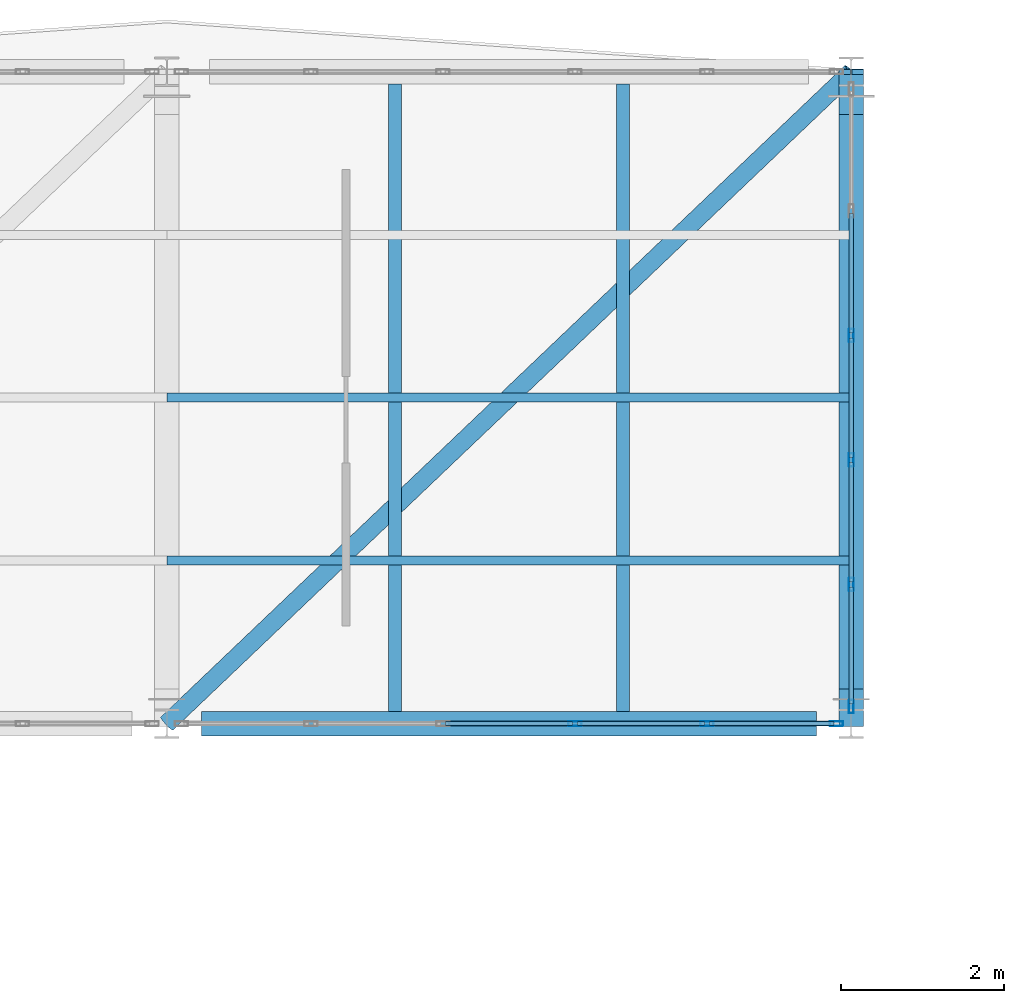
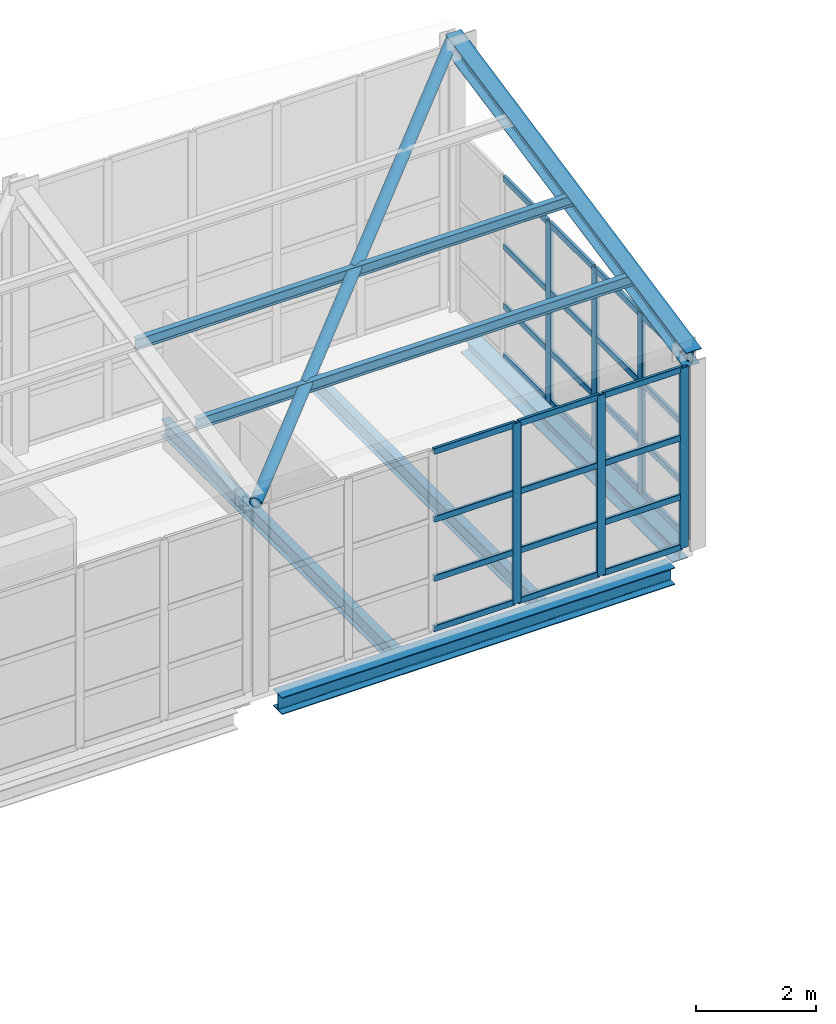
# One storey, part 116 of 177: 39 members, 4 beams, 2 elements without a shape of their own.
"""IFC4 building model written with IfcOpenShell, lengths in metres."""

from ifc_helpers import new_model, si_unit, direction, frame, origin, origin_2d, place, context, subcontext, project, spatial, hollow_rectangle, hollow_circle, i_section, extrude, material, layer, layer_set, material_profile, profile_set, type_object, element, aggregate, save


model = new_model("IFC4")

# Units and contexts
model_context = context("Model", 3, precision=1e-05, world=origin(), true_north=direction((0.0, 1.0)))
body_context = subcontext(model_context, "Body", "Model", "MODEL_VIEW")
ifc_project = project(units=[si_unit("LENGTHUNIT", "METRE"), si_unit("AREAUNIT", "SQUARE_METRE"), si_unit("VOLUMEUNIT", "CUBIC_METRE"), si_unit("PLANEANGLEUNIT", "RADIAN"), si_unit("MASSUNIT", "GRAM", prefix="KILO"), si_unit("THERMODYNAMICTEMPERATUREUNIT", "KELVIN"), si_unit("POWERUNIT", "WATT")], contexts=[model_context])

# Site, building, storey
site_placement = place(None, origin())
site = spatial("IfcSite", under=ifc_project, at=site_placement, CompositionType="ELEMENT")
building_placement = place(site_placement, origin())
building = spatial("IfcBuilding", under=site, at=building_placement, Name="Mavoryth Pier Ferry Terminal", CompositionType="ELEMENT")
storey_placement = place(building_placement, frame((0.0, 0.0, 5.43994140625)))
storey = spatial("IfcBuildingStorey", under=building, at=storey_placement, Name="L01", CompositionType="ELEMENT", Elevation=5.43994140625)

# Member
ifc_material_1 = material(Name="Steel S355J2", Category="steel")
ifc_material_profile_1 = material_profile(ifc_material_1, hollow_circle(Radius=0.109619140625, WallThickness=0.010009765625, at=origin_2d()), Name="CHS 219.1x10.0", Category="steel")
ifc_profile_set_1 = profile_set([ifc_material_profile_1], Name="Steel S355J2 - CHS 219.1x10.0")
member_type_1 = type_object("IfcMemberType", Name="Brace-Diag-CHS219", PredefinedType="BRACE", material=ifc_profile_set_1)
member_1_placement = place(storey_placement, frame((142.800048828125, 106.0, 3.771240234375), z_axis=(0.717108654399, 0.682968563255, 0.138957257423), x_axis=(-0.689659376744, 0.724133926887, 0.0)))
element("IfcMember", 1, at=member_1_placement, inside=storey, type_object=member_type_1, Name="Steel Member MB-L01-0297", PredefinedType="BRACE", context=body_context, shape_type="SweptSolid", body=[
    extrude(hollow_circle(Radius=0.109619140625, WallThickness=0.010009765625, at=origin_2d()), origin(), (0.0, 0.0, 1.0), 11.713623046875),
])

# Beams
ifc_material_profile_2 = material_profile(ifc_material_1, i_section(OverallWidth=0.159912109375, OverallDepth=0.330078125, WebThickness=0.007568359375, FlangeThickness=0.011474609375, FilletRadius=0.01806640625, at=origin_2d()), Name="IPE 330", Category="steel")
ifc_profile_set_2 = profile_set([ifc_material_profile_2], Name="Steel S355J2 - IPE 330")
beam_type_1 = type_object("IfcBeamType", Name="Joist-Steel-IPE330", PredefinedType="JOIST", material=ifc_profile_set_2)
for number, where, z_axis, x_axis, name in (
    (2, (145.60009765625, 106.14990234375, -0.405029296875), (0.0, 1.0, 0.0), (-1.0, 0.0, 0.0), "Beam B01-SJ03-0309"),
    (3, (148.39990234375, 106.14990234375, -0.405029296875), (0.0, 1.0, 0.0), (-1.0, 0.0, 0.0), "Beam B01-SJ03-0310"),
):
    element("IfcBeam", number, at=place(storey_placement, frame(where, z_axis=z_axis, x_axis=x_axis)), inside=storey, type_object=beam_type_1, Name=name, PredefinedType="JOIST", context=body_context, shape_type="SweptSolid", body=[
        extrude(i_section(OverallWidth=0.159912109375, OverallDepth=0.330078125, WebThickness=0.007568359375, FlangeThickness=0.011474609375, FilletRadius=0.01806640625, at=origin_2d()), origin(), (0.0, 0.0, 1.0), 7.7001953125),
    ])

# Curtain wall, members
ifc_material_2 = material(Name="Anodised Aluminium and Solar-Control Low-E Glass", Category="aluminium")
ifc_layer = layer(ifc_material_2, 0.139892578125, Name="Anodised Aluminium and Solar-Control Low-E Glass", Category="aluminium")
ifc_layer_set = layer_set([ifc_layer], Name="Anodised Aluminium and Solar-Control Low-E Glass - CW-Gallery-Mod1600")
curtain_wall_type = type_object("IfcCurtainWallType", Name="CW-Gallery-Mod1600", PredefinedType="USERDEFINED", material=ifc_layer_set)
curtain_wall_1_placement = place(storey_placement, origin())
curtain_wall_1 = element("IfcCurtainWall", 4, at=curtain_wall_1_placement, inside=storey, type_object=curtain_wall_type, Name="Curtain Wall CW-0122-095", ObjectType="UNITISED CURTAIN WALL", PredefinedType="USERDEFINED")
ifc_material_3 = material(Name="Anodised Aluminium EN AW-6063", Category="aluminium")
ifc_material_profile_3 = material_profile(ifc_material_3, hollow_rectangle(XDim=0.06005859375, YDim=0.1650390625, WallThickness=0.00390625, InnerFilletRadius=0.00390625, OuterFilletRadius=0.008056640625, at=origin_2d()), Name="AL-MULL 165x60x4", Category="aluminium")
ifc_profile_set_3 = profile_set([ifc_material_profile_3], Name="Anodised Aluminium EN AW-6063 - AL-MULL 165x60x4")
member_type_2 = type_object("IfcMemberType", Name="Mullion-Alum-165x60", PredefinedType="MULLION", material=ifc_profile_set_3)
member_2_placement = place(storey_placement, frame((147.81005859375, 106.0, 0.0), z_axis=(0.0, 0.0, 1.0), x_axis=(0.0, 1.0, 0.0)))
member_2 = element("IfcMember", 5, at=member_2_placement, type_object=member_type_2, Name="CW05 mullion 4", PredefinedType="MULLION", context=body_context, shape_type="SweptSolid", body=[
    extrude(hollow_rectangle(XDim=0.06005859375, YDim=0.1650390625, WallThickness=0.00390625, InnerFilletRadius=0.00390625, OuterFilletRadius=0.008056640625, at=origin_2d()), origin(), (0.0, 0.0, 1.0), 3.66015625),
])
member_3_placement = place(storey_placement, frame((149.429931640625, 106.0, 0.0), z_axis=(0.0, 0.0, 1.0), x_axis=(0.0, 1.0, 0.0)))
member_3 = element("IfcMember", 6, at=member_3_placement, type_object=member_type_2, Name="CW05 mullion 5", PredefinedType="MULLION", context=body_context, shape_type="SweptSolid", body=[
    extrude(hollow_rectangle(XDim=0.06005859375, YDim=0.1650390625, WallThickness=0.00390625, InnerFilletRadius=0.00390625, OuterFilletRadius=0.008056640625, at=origin_2d()), origin(), (0.0, 0.0, 1.0), 3.66015625),
])
member_4_placement = place(storey_placement, frame((151.02001953125, 106.0, 0.0), z_axis=(0.0, 0.0, 1.0), x_axis=(0.0, 1.0, 0.0)))
member_4 = element("IfcMember", 7, at=member_4_placement, type_object=member_type_2, Name="CW05 mullion 6", PredefinedType="MULLION", context=body_context, shape_type="SweptSolid", body=[
    extrude(hollow_rectangle(XDim=0.06005859375, YDim=0.1650390625, WallThickness=0.00390625, InnerFilletRadius=0.00390625, OuterFilletRadius=0.008056640625, at=origin_2d()), origin(), (0.0, 0.0, 1.0), 3.66015625),
])

curtain_wall_2_placement = place(storey_placement, origin())
curtain_wall_2 = element("IfcCurtainWall", 8, at=curtain_wall_2_placement, inside=storey, type_object=curtain_wall_type, Name="Curtain Wall CW-0122-097", ObjectType="UNITISED CURTAIN WALL", PredefinedType="USERDEFINED")
member_5_placement = place(storey_placement, frame((151.199951171875, 106.2099609375, 0.0), z_axis=(0.0, 0.0, 1.0), x_axis=(-1.0, 0.0, 0.0)))
member_5 = element("IfcMember", 9, at=member_5_placement, type_object=member_type_2, Name="CW05 mullion 1", PredefinedType="MULLION", context=body_context, shape_type="SweptSolid", body=[
    extrude(hollow_rectangle(XDim=0.06005859375, YDim=0.1650390625, WallThickness=0.00390625, InnerFilletRadius=0.00390625, OuterFilletRadius=0.008056640625, at=origin_2d()), origin(), (0.0, 0.0, 1.0), 3.66015625),
])
member_6_placement = place(storey_placement, frame((151.199951171875, 107.7080078125, 0.0), z_axis=(0.0, 0.0, 1.0), x_axis=(-1.0, 0.0, 0.0)))
member_6 = element("IfcMember", 10, at=member_6_placement, type_object=member_type_2, Name="CW05 mullion 2", PredefinedType="MULLION", context=body_context, shape_type="SweptSolid", body=[
    extrude(hollow_rectangle(XDim=0.06005859375, YDim=0.1650390625, WallThickness=0.00390625, InnerFilletRadius=0.00390625, OuterFilletRadius=0.008056640625, at=origin_2d()), origin(), (0.0, 0.0, 1.0), 3.66015625),
])
member_7_placement = place(storey_placement, frame((151.199951171875, 109.236083984375, 0.0), z_axis=(0.0, 0.0, 1.0), x_axis=(-1.0, 0.0, 0.0)))
member_7 = element("IfcMember", 11, at=member_7_placement, type_object=member_type_2, Name="CW05 mullion 3", PredefinedType="MULLION", context=body_context, shape_type="SweptSolid", body=[
    extrude(hollow_rectangle(XDim=0.06005859375, YDim=0.1650390625, WallThickness=0.00390625, InnerFilletRadius=0.00390625, OuterFilletRadius=0.008056640625, at=origin_2d()), origin(), (0.0, 0.0, 1.0), 3.66015625),
])
member_8_placement = place(storey_placement, frame((151.199951171875, 110.763916015625, 0.0), z_axis=(0.0, 0.0, 1.0), x_axis=(-1.0, 0.0, 0.0)))
member_8 = element("IfcMember", 12, at=member_8_placement, type_object=member_type_2, Name="CW05 mullion 4", PredefinedType="MULLION", context=body_context, shape_type="SweptSolid", body=[
    extrude(hollow_rectangle(XDim=0.06005859375, YDim=0.1650390625, WallThickness=0.00390625, InnerFilletRadius=0.00390625, OuterFilletRadius=0.008056640625, at=origin_2d()), origin(), (0.0, 0.0, 1.0), 3.66015625),
])

# Members
ifc_material_profile_4 = material_profile(ifc_material_1, i_section(OverallWidth=0.110107421875, OverallDepth=0.219970703125, WebThickness=0.005859375, FlangeThickness=0.00927734375, FilletRadius=0.011962890625, at=origin_2d()), Name="IPE 220", Category="steel")
ifc_profile_set_4 = profile_set([ifc_material_profile_4], Name="Steel S355J2 - IPE 220")
member_type_3 = type_object("IfcMemberType", Name="Purlin-Roof-IPE220", PredefinedType="PURLIN", material=ifc_profile_set_4)
for number, where, z_axis, x_axis, name in (
    (13, (142.800048828125, 108.0, 4.17822265625), (1.0, 0.0, 0.0), (0.0, 1.0, 0.0), "Steel Member MB-L01-0294"),
    (14, (142.800048828125, 110.0, 4.5849609375), (1.0, 0.0, 0.0), (0.0, 1.0, 0.0), "Steel Member MB-L01-0295"),
):
    element("IfcMember", number, at=place(storey_placement, frame(where, z_axis=z_axis, x_axis=x_axis)), inside=storey, type_object=member_type_3, Name=name, PredefinedType="PURLIN", context=body_context, shape_type="SweptSolid", body=[
        extrude(i_section(OverallWidth=0.110107421875, OverallDepth=0.219970703125, WebThickness=0.005859375, FlangeThickness=0.00927734375, FilletRadius=0.011962890625, at=origin_2d()), origin(), (0.0, 0.0, 1.0), 8.39990234375),
    ])
ifc_material_profile_5 = material_profile(ifc_material_1, i_section(OverallWidth=0.300048828125, OverallDepth=0.35009765625, WebThickness=0.010009765625, FlangeThickness=0.017578125, FilletRadius=0.027099609375, at=origin_2d()), Name="HEA 360", Category="steel")
ifc_profile_set_5 = profile_set([ifc_material_profile_5], Name="Steel S355J2 - HEA 360")
member_type_4 = type_object("IfcMemberType", Name="Rafter-Gallery-HEA360", PredefinedType="RAFTER", material=ifc_profile_set_5)
member_9_placement = place(storey_placement, frame((151.199951171875, 106.0, 3.771240234375), z_axis=(0.0, 0.979923097627, 0.199375832882), x_axis=(-1.0, 0.0, 0.0)))
element("IfcMember", 15, at=member_9_placement, inside=storey, type_object=member_type_4, Name="Steel Member MB-L01-0249", PredefinedType="RAFTER", context=body_context, shape_type="SweptSolid", body=[
    extrude(i_section(OverallWidth=0.300048828125, OverallDepth=0.35009765625, WebThickness=0.010009765625, FlangeThickness=0.017578125, FilletRadius=0.027099609375, at=origin_2d()), origin(), (0.0, 0.0, 1.0), 8.163818359375),
])

# Beams
ifc_material_profile_6 = material_profile(ifc_material_1, i_section(OverallWidth=0.300048828125, OverallDepth=0.35009765625, WebThickness=0.010009765625, FlangeThickness=0.017578125, FilletRadius=0.027099609375, at=origin_2d()), Name="HEA 360", Category="steel")
ifc_profile_set_6 = profile_set([ifc_material_profile_6], Name="Steel S355J2 - HEA 360")
beam_type_2 = type_object("IfcBeamType", Name="Spandrel-Steel-HEA360", PredefinedType="SPANDREL", material=ifc_profile_set_6)
beam_1_placement = place(storey_placement, frame((143.22509765625, 106.0, -0.4150390625), z_axis=(1.0, 0.0, 0.0), x_axis=(0.0, 1.0, 0.0)))
element("IfcBeam", 16, at=beam_1_placement, inside=storey, type_object=beam_type_2, Name="Beam B01-SP03-0265", PredefinedType="SPANDREL", context=body_context, shape_type="SweptSolid", body=[
    extrude(i_section(OverallWidth=0.300048828125, OverallDepth=0.35009765625, WebThickness=0.010009765625, FlangeThickness=0.017578125, FilletRadius=0.027099609375, at=origin_2d()), origin(), (0.0, 0.0, 1.0), 7.5498046875),
])
beam_2_placement = place(storey_placement, frame((151.199951171875, 106.425048828125, -0.4150390625), z_axis=(0.0, 1.0, 0.0), x_axis=(-1.0, 0.0, 0.0)))
element("IfcBeam", 17, at=beam_2_placement, inside=storey, type_object=beam_type_2, Name="Beam B01-SP03-0290", PredefinedType="SPANDREL", context=body_context, shape_type="SweptSolid", body=[
    extrude(i_section(OverallWidth=0.300048828125, OverallDepth=0.35009765625, WebThickness=0.010009765625, FlangeThickness=0.017578125, FilletRadius=0.027099609375, at=origin_2d()), origin(), (0.0, 0.0, 1.0), 7.050048828125),
])

# Member
ifc_material_profile_7 = material_profile(ifc_material_3, hollow_rectangle(XDim=0.06005859375, YDim=0.125, WallThickness=0.00390625, InnerFilletRadius=0.00390625, OuterFilletRadius=0.008056640625, at=origin_2d()), Name="AL-TRAN 125x60x4", Category="aluminium")
ifc_profile_set_7 = profile_set([ifc_material_profile_7], Name="Anodised Aluminium EN AW-6063 - AL-TRAN 125x60x4")
member_type_5 = type_object("IfcMemberType", Name="Transom-Alum-125x60", PredefinedType="USERDEFINED", material=ifc_profile_set_7)
member_10_placement = place(storey_placement, frame((146.219970703125, 106.0, 0.030029296875), z_axis=(1.0, 0.0, 0.0), x_axis=(0.0, 1.0, 0.0)))
member_10 = element("IfcMember", 18, at=member_10_placement, type_object=member_type_5, Name="CW05 transom 3.1", ObjectType="TRANSOM", PredefinedType="USERDEFINED", context=body_context, shape_type="SweptSolid", body=[
    extrude(hollow_rectangle(XDim=0.06005859375, YDim=0.125, WallThickness=0.00390625, InnerFilletRadius=0.00390625, OuterFilletRadius=0.008056640625, at=origin_2d()), origin(), (0.0, 0.0, 1.0), 1.56005859375),
])

member_11_placement = place(storey_placement, frame((146.219970703125, 106.0, 1.050048828125), z_axis=(1.0, 0.0, 0.0), x_axis=(0.0, 1.0, 0.0)))
member_11 = element("IfcMember", 19, at=member_11_placement, type_object=member_type_5, Name="CW05 transom 3.2", ObjectType="TRANSOM", PredefinedType="USERDEFINED", context=body_context, shape_type="SweptSolid", body=[
    extrude(hollow_rectangle(XDim=0.06005859375, YDim=0.125, WallThickness=0.00390625, InnerFilletRadius=0.00390625, OuterFilletRadius=0.008056640625, at=origin_2d()), origin(), (0.0, 0.0, 1.0), 1.56005859375),
])

member_12_placement = place(storey_placement, frame((146.219970703125, 106.0, 2.25), z_axis=(1.0, 0.0, 0.0), x_axis=(0.0, 1.0, 0.0)))
member_12 = element("IfcMember", 20, at=member_12_placement, type_object=member_type_5, Name="CW05 transom 3.3", ObjectType="TRANSOM", PredefinedType="USERDEFINED", context=body_context, shape_type="SweptSolid", body=[
    extrude(hollow_rectangle(XDim=0.06005859375, YDim=0.125, WallThickness=0.00390625, InnerFilletRadius=0.00390625, OuterFilletRadius=0.008056640625, at=origin_2d()), origin(), (0.0, 0.0, 1.0), 1.56005859375),
])

member_13_placement = place(storey_placement, frame((146.219970703125, 106.0, 3.630126953125), z_axis=(1.0, 0.0, 0.0), x_axis=(0.0, 1.0, 0.0)))
member_13 = element("IfcMember", 21, at=member_13_placement, type_object=member_type_5, Name="CW05 transom 3.4", ObjectType="TRANSOM", PredefinedType="USERDEFINED", context=body_context, shape_type="SweptSolid", body=[
    extrude(hollow_rectangle(XDim=0.06005859375, YDim=0.125, WallThickness=0.00390625, InnerFilletRadius=0.00390625, OuterFilletRadius=0.008056640625, at=origin_2d()), origin(), (0.0, 0.0, 1.0), 1.56005859375),
])

member_14_placement = place(storey_placement, frame((147.840087890625, 106.0, 0.030029296875), z_axis=(1.0, 0.0, 0.0), x_axis=(0.0, 1.0, 0.0)))
member_14 = element("IfcMember", 22, at=member_14_placement, type_object=member_type_5, Name="CW05 transom 4.1", ObjectType="TRANSOM", PredefinedType="USERDEFINED", context=body_context, shape_type="SweptSolid", body=[
    extrude(hollow_rectangle(XDim=0.06005859375, YDim=0.125, WallThickness=0.00390625, InnerFilletRadius=0.00390625, OuterFilletRadius=0.008056640625, at=origin_2d()), origin(), (0.0, 0.0, 1.0), 1.559814453125),
])

member_15_placement = place(storey_placement, frame((147.840087890625, 106.0, 1.050048828125), z_axis=(1.0, 0.0, 0.0), x_axis=(0.0, 1.0, 0.0)))
member_15 = element("IfcMember", 23, at=member_15_placement, type_object=member_type_5, Name="CW05 transom 4.2", ObjectType="TRANSOM", PredefinedType="USERDEFINED", context=body_context, shape_type="SweptSolid", body=[
    extrude(hollow_rectangle(XDim=0.06005859375, YDim=0.125, WallThickness=0.00390625, InnerFilletRadius=0.00390625, OuterFilletRadius=0.008056640625, at=origin_2d()), origin(), (0.0, 0.0, 1.0), 1.559814453125),
])

member_16_placement = place(storey_placement, frame((147.840087890625, 106.0, 2.25), z_axis=(1.0, 0.0, 0.0), x_axis=(0.0, 1.0, 0.0)))
member_16 = element("IfcMember", 24, at=member_16_placement, type_object=member_type_5, Name="CW05 transom 4.3", ObjectType="TRANSOM", PredefinedType="USERDEFINED", context=body_context, shape_type="SweptSolid", body=[
    extrude(hollow_rectangle(XDim=0.06005859375, YDim=0.125, WallThickness=0.00390625, InnerFilletRadius=0.00390625, OuterFilletRadius=0.008056640625, at=origin_2d()), origin(), (0.0, 0.0, 1.0), 1.559814453125),
])

member_17_placement = place(storey_placement, frame((147.840087890625, 106.0, 3.630126953125), z_axis=(1.0, 0.0, 0.0), x_axis=(0.0, 1.0, 0.0)))
member_17 = element("IfcMember", 25, at=member_17_placement, type_object=member_type_5, Name="CW05 transom 4.4", ObjectType="TRANSOM", PredefinedType="USERDEFINED", context=body_context, shape_type="SweptSolid", body=[
    extrude(hollow_rectangle(XDim=0.06005859375, YDim=0.125, WallThickness=0.00390625, InnerFilletRadius=0.00390625, OuterFilletRadius=0.008056640625, at=origin_2d()), origin(), (0.0, 0.0, 1.0), 1.559814453125),
])

member_18_placement = place(storey_placement, frame((149.4599609375, 106.0, 0.030029296875), z_axis=(1.0, 0.0, 0.0), x_axis=(0.0, 1.0, 0.0)))
member_18 = element("IfcMember", 26, at=member_18_placement, type_object=member_type_5, Name="CW05 transom 5.1", ObjectType="TRANSOM", PredefinedType="USERDEFINED", context=body_context, shape_type="SweptSolid", body=[
    extrude(hollow_rectangle(XDim=0.06005859375, YDim=0.125, WallThickness=0.00390625, InnerFilletRadius=0.00390625, OuterFilletRadius=0.008056640625, at=origin_2d()), origin(), (0.0, 0.0, 1.0), 1.530029296875),
])

member_19_placement = place(storey_placement, frame((149.4599609375, 106.0, 1.050048828125), z_axis=(1.0, 0.0, 0.0), x_axis=(0.0, 1.0, 0.0)))
member_19 = element("IfcMember", 27, at=member_19_placement, type_object=member_type_5, Name="CW05 transom 5.2", ObjectType="TRANSOM", PredefinedType="USERDEFINED", context=body_context, shape_type="SweptSolid", body=[
    extrude(hollow_rectangle(XDim=0.06005859375, YDim=0.125, WallThickness=0.00390625, InnerFilletRadius=0.00390625, OuterFilletRadius=0.008056640625, at=origin_2d()), origin(), (0.0, 0.0, 1.0), 1.530029296875),
])

member_20_placement = place(storey_placement, frame((149.4599609375, 106.0, 2.25), z_axis=(1.0, 0.0, 0.0), x_axis=(0.0, 1.0, 0.0)))
member_20 = element("IfcMember", 28, at=member_20_placement, type_object=member_type_5, Name="CW05 transom 5.3", ObjectType="TRANSOM", PredefinedType="USERDEFINED", context=body_context, shape_type="SweptSolid", body=[
    extrude(hollow_rectangle(XDim=0.06005859375, YDim=0.125, WallThickness=0.00390625, InnerFilletRadius=0.00390625, OuterFilletRadius=0.008056640625, at=origin_2d()), origin(), (0.0, 0.0, 1.0), 1.530029296875),
])

member_21_placement = place(storey_placement, frame((149.4599609375, 106.0, 3.630126953125), z_axis=(1.0, 0.0, 0.0), x_axis=(0.0, 1.0, 0.0)))
member_21 = element("IfcMember", 29, at=member_21_placement, type_object=member_type_5, Name="CW05 transom 5.4", ObjectType="TRANSOM", PredefinedType="USERDEFINED", context=body_context, shape_type="SweptSolid", body=[
    extrude(hollow_rectangle(XDim=0.06005859375, YDim=0.125, WallThickness=0.00390625, InnerFilletRadius=0.00390625, OuterFilletRadius=0.008056640625, at=origin_2d()), origin(), (0.0, 0.0, 1.0), 1.530029296875),
])

aggregate(curtain_wall_1, [member_2, member_3, member_4, member_10, member_11, member_12, member_13, member_14, member_15, member_16, member_17, member_18, member_19, member_20, member_21])

member_22_placement = place(storey_placement, frame((151.199951171875, 106.239990234375, 0.030029296875), z_axis=(0.0, 1.0, 0.0), x_axis=(-1.0, 0.0, 0.0)))
member_22 = element("IfcMember", 30, at=member_22_placement, type_object=member_type_5, Name="CW05 transom 1.1", ObjectType="TRANSOM", PredefinedType="USERDEFINED", context=body_context, shape_type="SweptSolid", body=[
    extrude(hollow_rectangle(XDim=0.06005859375, YDim=0.125, WallThickness=0.00390625, InnerFilletRadius=0.00390625, OuterFilletRadius=0.008056640625, at=origin_2d()), origin(), (0.0, 0.0, 1.0), 1.43798828125),
])

member_23_placement = place(storey_placement, frame((151.199951171875, 106.239990234375, 1.050048828125), z_axis=(0.0, 1.0, 0.0), x_axis=(-1.0, 0.0, 0.0)))
member_23 = element("IfcMember", 31, at=member_23_placement, type_object=member_type_5, Name="CW05 transom 1.2", ObjectType="TRANSOM", PredefinedType="USERDEFINED", context=body_context, shape_type="SweptSolid", body=[
    extrude(hollow_rectangle(XDim=0.06005859375, YDim=0.125, WallThickness=0.00390625, InnerFilletRadius=0.00390625, OuterFilletRadius=0.008056640625, at=origin_2d()), origin(), (0.0, 0.0, 1.0), 1.43798828125),
])

member_24_placement = place(storey_placement, frame((151.199951171875, 106.239990234375, 2.25), z_axis=(0.0, 1.0, 0.0), x_axis=(-1.0, 0.0, 0.0)))
member_24 = element("IfcMember", 32, at=member_24_placement, type_object=member_type_5, Name="CW05 transom 1.3", ObjectType="TRANSOM", PredefinedType="USERDEFINED", context=body_context, shape_type="SweptSolid", body=[
    extrude(hollow_rectangle(XDim=0.06005859375, YDim=0.125, WallThickness=0.00390625, InnerFilletRadius=0.00390625, OuterFilletRadius=0.008056640625, at=origin_2d()), origin(), (0.0, 0.0, 1.0), 1.43798828125),
])

member_25_placement = place(storey_placement, frame((151.199951171875, 106.239990234375, 3.630126953125), z_axis=(0.0, 1.0, 0.0), x_axis=(-1.0, 0.0, 0.0)))
member_25 = element("IfcMember", 33, at=member_25_placement, type_object=member_type_5, Name="CW05 transom 1.4", ObjectType="TRANSOM", PredefinedType="USERDEFINED", context=body_context, shape_type="SweptSolid", body=[
    extrude(hollow_rectangle(XDim=0.06005859375, YDim=0.125, WallThickness=0.00390625, InnerFilletRadius=0.00390625, OuterFilletRadius=0.008056640625, at=origin_2d()), origin(), (0.0, 0.0, 1.0), 1.43798828125),
])

member_26_placement = place(storey_placement, frame((151.199951171875, 107.738037109375, 0.030029296875), z_axis=(0.0, 1.0, 0.0), x_axis=(-1.0, 0.0, 0.0)))
member_26 = element("IfcMember", 34, at=member_26_placement, type_object=member_type_5, Name="CW05 transom 2.1", ObjectType="TRANSOM", PredefinedType="USERDEFINED", context=body_context, shape_type="SweptSolid", body=[
    extrude(hollow_rectangle(XDim=0.06005859375, YDim=0.125, WallThickness=0.00390625, InnerFilletRadius=0.00390625, OuterFilletRadius=0.008056640625, at=origin_2d()), origin(), (0.0, 0.0, 1.0), 1.468017578125),
])

member_27_placement = place(storey_placement, frame((151.199951171875, 107.738037109375, 1.050048828125), z_axis=(0.0, 1.0, 0.0), x_axis=(-1.0, 0.0, 0.0)))
member_27 = element("IfcMember", 35, at=member_27_placement, type_object=member_type_5, Name="CW05 transom 2.2", ObjectType="TRANSOM", PredefinedType="USERDEFINED", context=body_context, shape_type="SweptSolid", body=[
    extrude(hollow_rectangle(XDim=0.06005859375, YDim=0.125, WallThickness=0.00390625, InnerFilletRadius=0.00390625, OuterFilletRadius=0.008056640625, at=origin_2d()), origin(), (0.0, 0.0, 1.0), 1.468017578125),
])

member_28_placement = place(storey_placement, frame((151.199951171875, 107.738037109375, 2.25), z_axis=(0.0, 1.0, 0.0), x_axis=(-1.0, 0.0, 0.0)))
member_28 = element("IfcMember", 36, at=member_28_placement, type_object=member_type_5, Name="CW05 transom 2.3", ObjectType="TRANSOM", PredefinedType="USERDEFINED", context=body_context, shape_type="SweptSolid", body=[
    extrude(hollow_rectangle(XDim=0.06005859375, YDim=0.125, WallThickness=0.00390625, InnerFilletRadius=0.00390625, OuterFilletRadius=0.008056640625, at=origin_2d()), origin(), (0.0, 0.0, 1.0), 1.468017578125),
])

member_29_placement = place(storey_placement, frame((151.199951171875, 107.738037109375, 3.630126953125), z_axis=(0.0, 1.0, 0.0), x_axis=(-1.0, 0.0, 0.0)))
member_29 = element("IfcMember", 37, at=member_29_placement, type_object=member_type_5, Name="CW05 transom 2.4", ObjectType="TRANSOM", PredefinedType="USERDEFINED", context=body_context, shape_type="SweptSolid", body=[
    extrude(hollow_rectangle(XDim=0.06005859375, YDim=0.125, WallThickness=0.00390625, InnerFilletRadius=0.00390625, OuterFilletRadius=0.008056640625, at=origin_2d()), origin(), (0.0, 0.0, 1.0), 1.468017578125),
])

member_30_placement = place(storey_placement, frame((151.199951171875, 109.26611328125, 0.030029296875), z_axis=(0.0, 1.0, 0.0), x_axis=(-1.0, 0.0, 0.0)))
member_30 = element("IfcMember", 38, at=member_30_placement, type_object=member_type_5, Name="CW05 transom 3.1", ObjectType="TRANSOM", PredefinedType="USERDEFINED", context=body_context, shape_type="SweptSolid", body=[
    extrude(hollow_rectangle(XDim=0.06005859375, YDim=0.125, WallThickness=0.00390625, InnerFilletRadius=0.00390625, OuterFilletRadius=0.008056640625, at=origin_2d()), origin(), (0.0, 0.0, 1.0), 1.4677734375),
])

member_31_placement = place(storey_placement, frame((151.199951171875, 109.26611328125, 1.050048828125), z_axis=(0.0, 1.0, 0.0), x_axis=(-1.0, 0.0, 0.0)))
member_31 = element("IfcMember", 39, at=member_31_placement, type_object=member_type_5, Name="CW05 transom 3.2", ObjectType="TRANSOM", PredefinedType="USERDEFINED", context=body_context, shape_type="SweptSolid", body=[
    extrude(hollow_rectangle(XDim=0.06005859375, YDim=0.125, WallThickness=0.00390625, InnerFilletRadius=0.00390625, OuterFilletRadius=0.008056640625, at=origin_2d()), origin(), (0.0, 0.0, 1.0), 1.4677734375),
])

member_32_placement = place(storey_placement, frame((151.199951171875, 109.26611328125, 2.25), z_axis=(0.0, 1.0, 0.0), x_axis=(-1.0, 0.0, 0.0)))
member_32 = element("IfcMember", 40, at=member_32_placement, type_object=member_type_5, Name="CW05 transom 3.3", ObjectType="TRANSOM", PredefinedType="USERDEFINED", context=body_context, shape_type="SweptSolid", body=[
    extrude(hollow_rectangle(XDim=0.06005859375, YDim=0.125, WallThickness=0.00390625, InnerFilletRadius=0.00390625, OuterFilletRadius=0.008056640625, at=origin_2d()), origin(), (0.0, 0.0, 1.0), 1.4677734375),
])

member_33_placement = place(storey_placement, frame((151.199951171875, 109.26611328125, 3.630126953125), z_axis=(0.0, 1.0, 0.0), x_axis=(-1.0, 0.0, 0.0)))
member_33 = element("IfcMember", 41, at=member_33_placement, type_object=member_type_5, Name="CW05 transom 3.4", ObjectType="TRANSOM", PredefinedType="USERDEFINED", context=body_context, shape_type="SweptSolid", body=[
    extrude(hollow_rectangle(XDim=0.06005859375, YDim=0.125, WallThickness=0.00390625, InnerFilletRadius=0.00390625, OuterFilletRadius=0.008056640625, at=origin_2d()), origin(), (0.0, 0.0, 1.0), 1.4677734375),
])

member_34_placement = place(storey_placement, frame((151.199951171875, 110.7939453125, 0.030029296875), z_axis=(0.0, 1.0, 0.0), x_axis=(-1.0, 0.0, 0.0)))
member_34 = element("IfcMember", 42, at=member_34_placement, type_object=member_type_5, Name="CW05 transom 4.1", ObjectType="TRANSOM", PredefinedType="USERDEFINED", context=body_context, shape_type="SweptSolid", body=[
    extrude(hollow_rectangle(XDim=0.06005859375, YDim=0.125, WallThickness=0.00390625, InnerFilletRadius=0.00390625, OuterFilletRadius=0.008056640625, at=origin_2d()), origin(), (0.0, 0.0, 1.0), 1.468017578125),
])

member_35_placement = place(storey_placement, frame((151.199951171875, 110.7939453125, 1.050048828125), z_axis=(0.0, 1.0, 0.0), x_axis=(-1.0, 0.0, 0.0)))
member_35 = element("IfcMember", 43, at=member_35_placement, type_object=member_type_5, Name="CW05 transom 4.2", ObjectType="TRANSOM", PredefinedType="USERDEFINED", context=body_context, shape_type="SweptSolid", body=[
    extrude(hollow_rectangle(XDim=0.06005859375, YDim=0.125, WallThickness=0.00390625, InnerFilletRadius=0.00390625, OuterFilletRadius=0.008056640625, at=origin_2d()), origin(), (0.0, 0.0, 1.0), 1.468017578125),
])

member_36_placement = place(storey_placement, frame((151.199951171875, 110.7939453125, 2.25), z_axis=(0.0, 1.0, 0.0), x_axis=(-1.0, 0.0, 0.0)))
member_36 = element("IfcMember", 44, at=member_36_placement, type_object=member_type_5, Name="CW05 transom 4.3", ObjectType="TRANSOM", PredefinedType="USERDEFINED", context=body_context, shape_type="SweptSolid", body=[
    extrude(hollow_rectangle(XDim=0.06005859375, YDim=0.125, WallThickness=0.00390625, InnerFilletRadius=0.00390625, OuterFilletRadius=0.008056640625, at=origin_2d()), origin(), (0.0, 0.0, 1.0), 1.468017578125),
])

member_37_placement = place(storey_placement, frame((151.199951171875, 110.7939453125, 3.630126953125), z_axis=(0.0, 1.0, 0.0), x_axis=(-1.0, 0.0, 0.0)))
member_37 = element("IfcMember", 45, at=member_37_placement, type_object=member_type_5, Name="CW05 transom 4.4", ObjectType="TRANSOM", PredefinedType="USERDEFINED", context=body_context, shape_type="SweptSolid", body=[
    extrude(hollow_rectangle(XDim=0.06005859375, YDim=0.125, WallThickness=0.00390625, InnerFilletRadius=0.00390625, OuterFilletRadius=0.008056640625, at=origin_2d()), origin(), (0.0, 0.0, 1.0), 1.468017578125),
])

aggregate(curtain_wall_2, [member_5, member_6, member_7, member_8, member_22, member_23, member_24, member_25, member_26, member_27, member_28, member_29, member_30, member_31, member_32, member_33, member_34, member_35, member_36, member_37])

save(model, "model.ifc")
